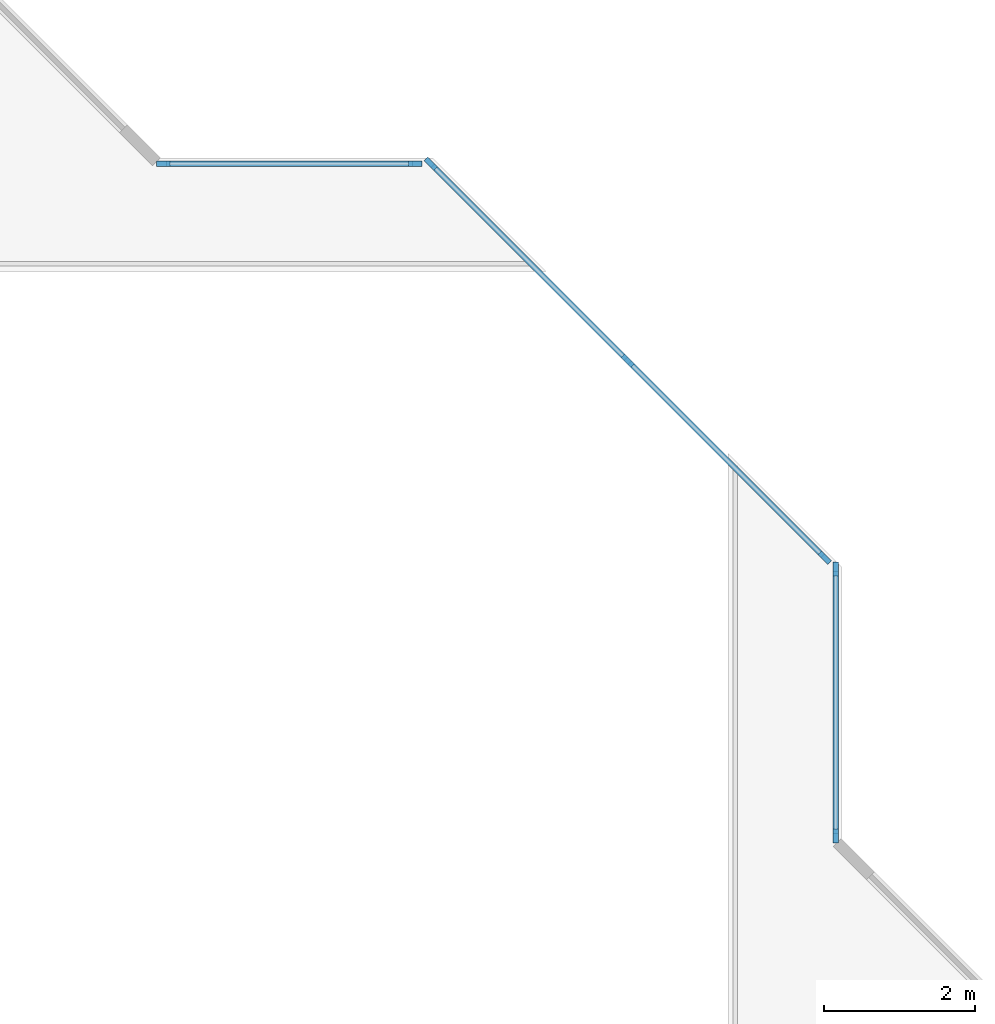
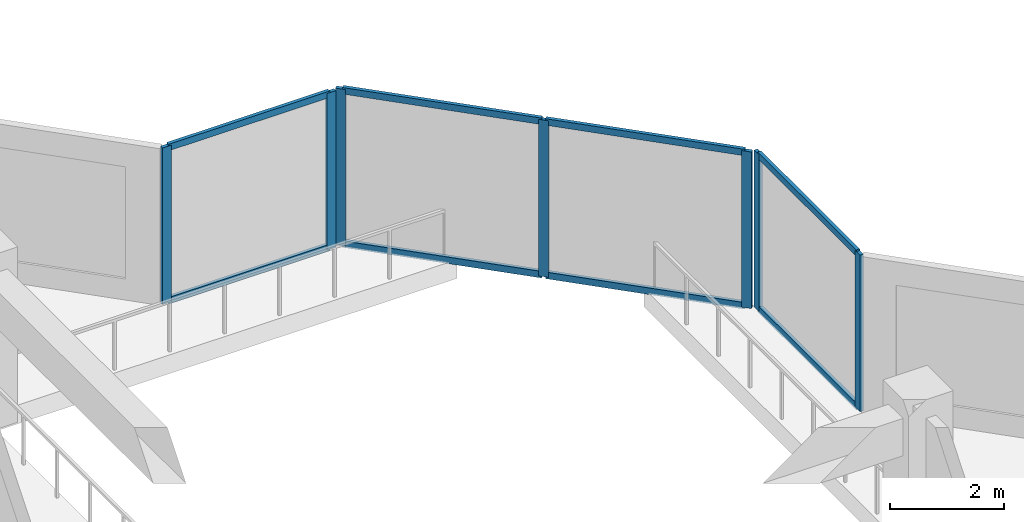
# One storey, part 2 of 14: 15 members, 3 elements without a shape of their own.
"""IFC4 building model written with IfcOpenShell, lengths in metres."""

from ifc_helpers import new_model, si_unit, direction, frame, origin, origin_2d, place, context, subcontext, project, spatial, rectangle, extrude, material, layer, layer_set, material_profile, profile_set, type_object, element, aggregate, save


model = new_model("IFC4")

# Units and contexts
model_context = context("Model", 3, precision=1e-05, world=origin(), true_north=direction((0.0, 1.0)))
body_context = subcontext(model_context, "Body", "Model", "MODEL_VIEW")
ifc_project = project(units=[si_unit("LENGTHUNIT", "METRE"), si_unit("AREAUNIT", "SQUARE_METRE"), si_unit("VOLUMEUNIT", "CUBIC_METRE"), si_unit("PLANEANGLEUNIT", "RADIAN"), si_unit("MASSUNIT", "GRAM", prefix="KILO")], contexts=[model_context])

# Site, building, storey
site_placement = place(None, origin())
site = spatial("IfcSite", under=ifc_project, at=site_placement, CompositionType="ELEMENT")
building_placement = place(site_placement, origin())
building = spatial("IfcBuilding", under=site, at=building_placement, Name="Chenar Terraces", CompositionType="ELEMENT")
storey_placement = place(building_placement, frame((0.0, 0.0, 161.14990234375)))
storey = spatial("IfcBuildingStorey", under=building, at=storey_placement, Name="L36", CompositionType="ELEMENT", Elevation=161.14990234375)

# Curtain wall, members
ifc_material_1 = material(Name="Aluminium framed glazing", Category="aluminium")
ifc_layer = layer(ifc_material_1, 0.14990234375)
ifc_layer_set = layer_set([ifc_layer], Name="Aluminium framed glazing")
curtain_wall_type = type_object("IfcCurtainWallType", Name="Atrium mid-zone curtain wall", PredefinedType="NOTDEFINED", material=ifc_layer_set)
placement = place(storey_placement, origin())
curtain_wall_1 = element("IfcCurtainWall", 1, at=placement, inside=storey, type_object=curtain_wall_type, Name="Atrium mid-zone curtain wall", PredefinedType="NOTDEFINED")
ifc_material_2 = material(Name="Aluminium", Category="aluminium")
ifc_material_profile_1 = material_profile(ifc_material_2, rectangle(XDim=0.070068359375, YDim=0.179931640625, at=origin_2d()), Name="Atrium mid-zone glazing mullion 70 x 180")
ifc_profile_set_1 = profile_set([ifc_material_profile_1], Name="Aluminium")
member_type_1 = type_object("IfcMemberType", Name="Atrium mid-zone glazing mullion 70 x 180", PredefinedType="MULLION", material=ifc_profile_set_1)
member_1_placement = place(storey_placement, frame((37.425048828125, 28.534912109375, 0.0), z_axis=(0.0, 0.0, 1.0), x_axis=(-1.0, 0.0, 0.0)))
member_1 = element("IfcMember", 2, at=member_1_placement, type_object=member_type_1, Name="CW7-1 mullion 1", PredefinedType="MULLION", context=body_context, shape_type="SweptSolid", body=[
    extrude(rectangle(XDim=0.070068359375, YDim=0.179931640625, at=origin_2d()), origin(), (0.0, 0.0, 1.0), 3.35009765625),
])
member_2_placement = place(storey_placement, frame((37.425048828125, 32.06494140625, 0.0), z_axis=(0.0, 0.0, 1.0), x_axis=(-1.0, 0.0, 0.0)))
member_2 = element("IfcMember", 3, at=member_2_placement, type_object=member_type_1, Name="CW7-1 mullion 2", PredefinedType="MULLION", context=body_context, shape_type="SweptSolid", body=[
    extrude(rectangle(XDim=0.070068359375, YDim=0.179931640625, at=origin_2d()), origin(), (0.0, 0.0, 1.0), 3.35009765625),
])

curtain_wall_2 = element("IfcCurtainWall", 4, at=placement, inside=storey, type_object=curtain_wall_type, Name="Atrium mid-zone curtain wall", PredefinedType="NOTDEFINED")
member_3_placement = place(storey_placement, frame((37.28076171875, 32.213134765625, 0.0), z_axis=(0.0, 0.0, 1.0), x_axis=(-0.707106781187, -0.707106781187, 0.0)))
member_3 = element("IfcMember", 5, at=member_3_placement, type_object=member_type_1, Name="CW7-2 mullion 1", PredefinedType="MULLION", context=body_context, shape_type="SweptSolid", body=[
    extrude(rectangle(XDim=0.070068359375, YDim=0.179931640625, at=origin_2d()), origin(), (0.0, 0.0, 1.0), 3.35009765625),
])
member_4_placement = place(storey_placement, frame((34.67626953125, 34.817626953125, 0.0), z_axis=(0.0, 0.0, 1.0), x_axis=(-0.707106781187, -0.707106781187, 0.0)))
member_4 = element("IfcMember", 6, at=member_4_placement, type_object=member_type_1, Name="CW7-2 mullion 2", PredefinedType="MULLION", context=body_context, shape_type="SweptSolid", body=[
    extrude(rectangle(XDim=0.070068359375, YDim=0.179931640625, at=origin_2d()), origin(), (0.0, 0.0, 1.0), 3.35009765625),
])
member_5_placement = place(storey_placement, frame((32.07177734375, 37.42236328125, 0.0), z_axis=(0.0, 0.0, 1.0), x_axis=(-0.707106781187, -0.707106781187, 0.0)))
member_5 = element("IfcMember", 7, at=member_5_placement, type_object=member_type_1, Name="CW7-2 mullion 3", PredefinedType="MULLION", context=body_context, shape_type="SweptSolid", body=[
    extrude(rectangle(XDim=0.070068359375, YDim=0.179931640625, at=origin_2d()), origin(), (0.0, 0.0, 1.0), 3.35009765625),
])

curtain_wall_3 = element("IfcCurtainWall", 8, at=placement, inside=storey, type_object=curtain_wall_type, Name="Atrium mid-zone curtain wall", PredefinedType="NOTDEFINED")
member_6_placement = place(storey_placement, frame((31.864990234375, 37.425048828125, 0.0), z_axis=(0.0, 0.0, 1.0), x_axis=(0.0, -1.0, 0.0)))
member_6 = element("IfcMember", 9, at=member_6_placement, type_object=member_type_1, Name="CW7-3 mullion 1", PredefinedType="MULLION", context=body_context, shape_type="SweptSolid", body=[
    extrude(rectangle(XDim=0.070068359375, YDim=0.179931640625, at=origin_2d()), origin(), (0.0, 0.0, 1.0), 3.35009765625),
])
member_7_placement = place(storey_placement, frame((28.534912109375, 37.425048828125, 0.0), z_axis=(0.0, 0.0, 1.0), x_axis=(0.0, -1.0, 0.0)))
member_7 = element("IfcMember", 10, at=member_7_placement, type_object=member_type_1, Name="CW7-3 mullion 2", PredefinedType="MULLION", context=body_context, shape_type="SweptSolid", body=[
    extrude(rectangle(XDim=0.070068359375, YDim=0.179931640625, at=origin_2d()), origin(), (0.0, 0.0, 1.0), 3.35009765625),
])

# Member
ifc_material_3 = material(Name="Aluminium", Category="aluminium")
ifc_material_profile_2 = material_profile(ifc_material_3, rectangle(XDim=0.070068359375, YDim=0.139892578125, at=origin_2d()), Name="Atrium mid-zone glazing transom 70 x 140")
ifc_profile_set_2 = profile_set([ifc_material_profile_2], Name="Aluminium")
member_type_2 = type_object("IfcMemberType", Name="Atrium mid-zone glazing transom 70 x 140", PredefinedType="USERDEFINED", material=ifc_profile_set_2)
member_8_placement = place(storey_placement, frame((37.425048828125, 28.570068359375, 0.03515625), z_axis=(0.0, 1.0, 0.0), x_axis=(-1.0, 0.0, 0.0)))
member_8 = element("IfcMember", 11, at=member_8_placement, type_object=member_type_2, Name="CW7-1 transom 1.1", ObjectType="TRANSOM", PredefinedType="USERDEFINED", context=body_context, shape_type="SweptSolid", body=[
    extrude(rectangle(XDim=0.070068359375, YDim=0.139892578125, at=origin_2d()), origin(), (0.0, 0.0, 1.0), 3.4599609375),
])

member_9_placement = place(storey_placement, frame((37.425048828125, 28.570068359375, 3.315185546875), z_axis=(0.0, 1.0, 0.0), x_axis=(-1.0, 0.0, 0.0)))
member_9 = element("IfcMember", 12, at=member_9_placement, type_object=member_type_2, Name="CW7-1 transom 1.2", ObjectType="TRANSOM", PredefinedType="USERDEFINED", context=body_context, shape_type="SweptSolid", body=[
    extrude(rectangle(XDim=0.070068359375, YDim=0.139892578125, at=origin_2d()), origin(), (0.0, 0.0, 1.0), 3.4599609375),
])

aggregate(curtain_wall_1, [member_1, member_2, member_8, member_9])

member_10_placement = place(storey_placement, frame((37.256103515625, 32.23779296875, 0.03515625), z_axis=(-0.707106781187, 0.707106781187, 0.0), x_axis=(-0.707106781187, -0.707106781187, 0.0)))
member_10 = element("IfcMember", 13, at=member_10_placement, type_object=member_type_2, Name="CW7-2 transom 1.1", ObjectType="TRANSOM", PredefinedType="USERDEFINED", context=body_context, shape_type="SweptSolid", body=[
    extrude(rectangle(XDim=0.070068359375, YDim=0.139892578125, at=origin_2d()), origin(), (0.0, 0.0, 1.0), 3.613525390625),
])

member_11_placement = place(storey_placement, frame((37.256103515625, 32.23779296875, 3.315185546875), z_axis=(-0.707106781187, 0.707106781187, 0.0), x_axis=(-0.707106781187, -0.707106781187, 0.0)))
member_11 = element("IfcMember", 14, at=member_11_placement, type_object=member_type_2, Name="CW7-2 transom 1.2", ObjectType="TRANSOM", PredefinedType="USERDEFINED", context=body_context, shape_type="SweptSolid", body=[
    extrude(rectangle(XDim=0.070068359375, YDim=0.139892578125, at=origin_2d()), origin(), (0.0, 0.0, 1.0), 3.613525390625),
])

member_12_placement = place(storey_placement, frame((34.651611328125, 34.842529296875, 0.03515625), z_axis=(-0.707140563131, 0.707072997628, 0.0), x_axis=(-0.707072997628, -0.707140563131, 0.0)))
member_12 = element("IfcMember", 15, at=member_12_placement, type_object=member_type_2, Name="CW7-2 transom 2.1", ObjectType="TRANSOM", PredefinedType="USERDEFINED", context=body_context, shape_type="SweptSolid", body=[
    extrude(rectangle(XDim=0.070068359375, YDim=0.139892578125, at=origin_2d()), origin(), (0.0, 0.0, 1.0), 3.61328125),
])

member_13_placement = place(storey_placement, frame((34.651611328125, 34.842529296875, 3.315185546875), z_axis=(-0.707140563131, 0.707072997628, 0.0), x_axis=(-0.707072997628, -0.707140563131, 0.0)))
member_13 = element("IfcMember", 16, at=member_13_placement, type_object=member_type_2, Name="CW7-2 transom 2.2", ObjectType="TRANSOM", PredefinedType="USERDEFINED", context=body_context, shape_type="SweptSolid", body=[
    extrude(rectangle(XDim=0.070068359375, YDim=0.139892578125, at=origin_2d()), origin(), (0.0, 0.0, 1.0), 3.61328125),
])

aggregate(curtain_wall_2, [member_3, member_4, member_5, member_10, member_11, member_12, member_13])

member_14_placement = place(storey_placement, frame((31.830078125, 37.425048828125, 0.03515625), z_axis=(-1.0, 0.0, 0.0), x_axis=(0.0, -1.0, 0.0)))
member_14 = element("IfcMember", 17, at=member_14_placement, type_object=member_type_2, Name="CW7-3 transom 1.1", ObjectType="TRANSOM", PredefinedType="USERDEFINED", context=body_context, shape_type="SweptSolid", body=[
    extrude(rectangle(XDim=0.070068359375, YDim=0.139892578125, at=origin_2d()), origin(), (0.0, 0.0, 1.0), 3.260009765625),
])

member_15_placement = place(storey_placement, frame((31.830078125, 37.425048828125, 3.315185546875), z_axis=(-1.0, 0.0, 0.0), x_axis=(0.0, -1.0, 0.0)))
member_15 = element("IfcMember", 18, at=member_15_placement, type_object=member_type_2, Name="CW7-3 transom 1.2", ObjectType="TRANSOM", PredefinedType="USERDEFINED", context=body_context, shape_type="SweptSolid", body=[
    extrude(rectangle(XDim=0.070068359375, YDim=0.139892578125, at=origin_2d()), origin(), (0.0, 0.0, 1.0), 3.260009765625),
])

aggregate(curtain_wall_3, [member_6, member_7, member_14, member_15])

save(model, "model.ifc")
